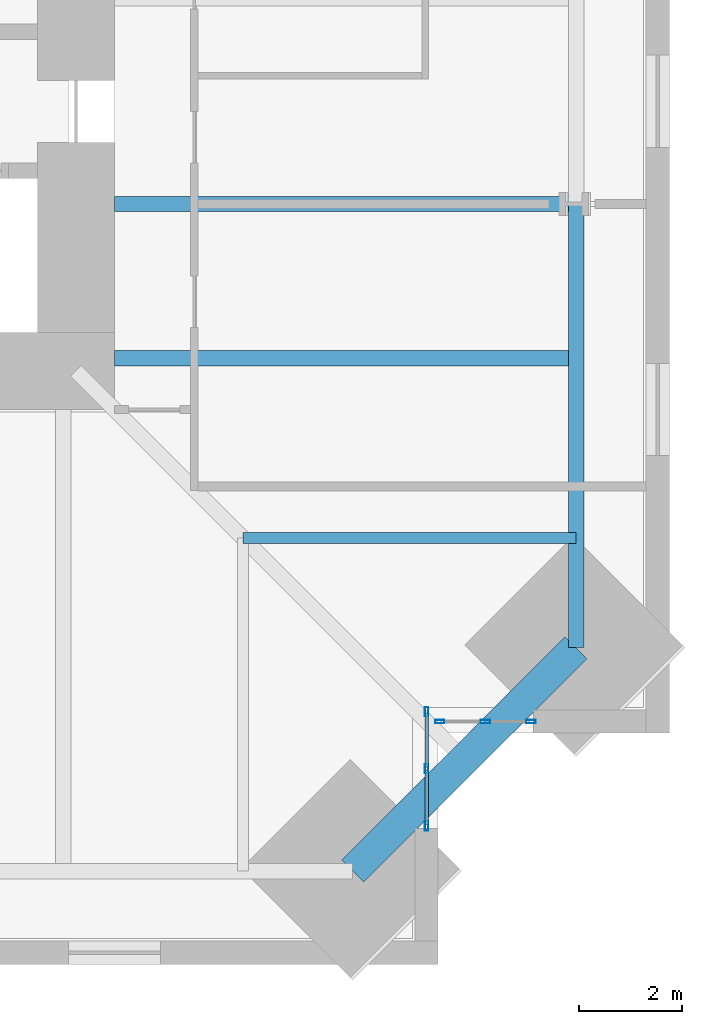
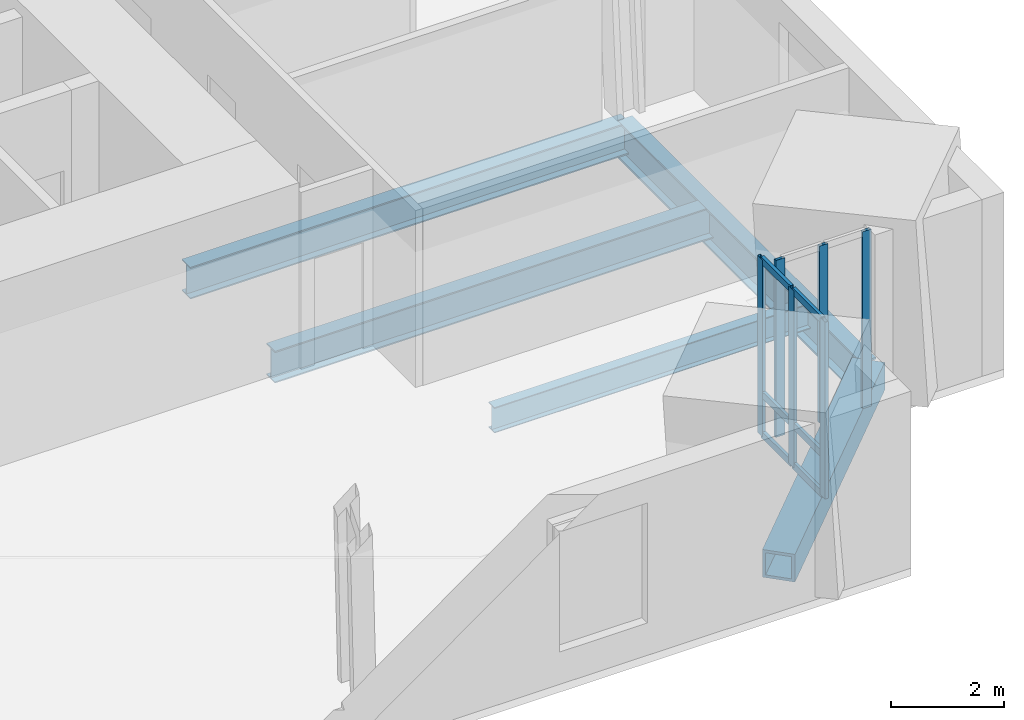
# One storey, part 4 of 15: 12 members, 5 beams, 2 elements without a shape of their own.
"""IFC4 building model written with IfcOpenShell, lengths in metres."""

import ifcopenshell
import ifcopenshell.guid

model = None  # the IFC model being written
_history = None  # IfcOwnerHistory: only IFC2X3 demands one
_inside = {}  # id of a spatial element -> (the spatial element, [elements in it])
_under = {}  # id of a project, library or spatial element -> (it, [spatial elements below it])
_declared = {}  # id of a project -> (the project, [libraries it declares])
_typed = {}  # id of a type object -> (the type object, [elements of that type])
_made_of = {}  # id of a material, layer set ... -> (it, [elements and type objects made of it])


def new_model(schema):
    """Start an empty IFC model of exactly this schema.

    Asked for "IFC4X3", IfcOpenShell would pick the latest addendum, in which some entities
    have other attributes; the version numbers below select the first issue.
    IFC2X3 requires an IfcOwnerHistory on every rooted entity: one is made here for all.
    """
    global model, _history
    if schema == "IFC4X3":
        model = ifcopenshell.file(schema_version=(4, 3, 0, 0))
    else:
        model = ifcopenshell.file(schema=schema)
    _inside.clear()
    _under.clear()
    _declared.clear()
    _typed.clear()
    _made_of.clear()
    _history = None
    if model.schema == "IFC2X3":
        org = make("IfcOrganization", Name="unknown")
        user = make(
            "IfcPersonAndOrganization",
            ThePerson=make("IfcPerson", FamilyName="unknown"),
            TheOrganization=org,
        )
        app = make(
            "IfcApplication",
            ApplicationDeveloper=org,
            Version="unknown",
            ApplicationFullName="unknown",
            ApplicationIdentifier="unknown",
        )
        _history = make(
            "IfcOwnerHistory",
            OwningUser=user,
            OwningApplication=app,
            ChangeAction="ADDED",
            CreationDate=0,
        )
    return model


def make(cls, **values):
    """One entity of the class cls with the attributes given. An attribute that is None is left unset."""
    return model.create_entity(
        cls, **{name: value for name, value in values.items() if value is not None}
    )


def rooted(cls, **values):
    """An entity with a GlobalId (a new one), such as an element, a storey or a relation."""
    return make(cls, GlobalId=ifcopenshell.guid.new(), OwnerHistory=_history, **values)


def si_unit(unit_type, name, prefix=None):
    """IfcSIUnit, for example si_unit("LENGTHUNIT", "METRE", prefix="MILLI")."""
    return make("IfcSIUnit", UnitType=unit_type, Prefix=prefix, Name=name)


def assignment(units):
    """IfcUnitAssignment: the units of a project."""
    return None if units is None else make("IfcUnitAssignment", Units=units)


def point(xyz):
    """IfcCartesianPoint."""
    return None if xyz is None else make("IfcCartesianPoint", Coordinates=xyz)


def direction(xyz):
    """IfcDirection."""
    return None if xyz is None else make("IfcDirection", DirectionRatios=xyz)


def frame(location, z_axis=None, x_axis=None):
    """IfcAxis2Placement3D, a coordinate frame: its origin and axes. An axis left out is left unset."""
    return make(
        "IfcAxis2Placement3D",
        Location=point(location),
        Axis=direction(z_axis),
        RefDirection=direction(x_axis),
    )


def frame_2d(location, x_axis=None):
    """IfcAxis2Placement2D, a coordinate frame in the plane: its origin and x axis."""
    return make(
        "IfcAxis2Placement2D", Location=point(location), RefDirection=direction(x_axis)
    )


def origin():
    """The frame at (0, 0, 0) with its axes left unset."""
    return frame((0.0, 0.0, 0.0))


def origin_2d():
    """The frame at (0, 0) in the plane with its x axis left unset."""
    return frame_2d((0.0, 0.0))


def place(relative_to, where):
    """IfcLocalPlacement: puts the frame where relative to a parent placement (None: the world)."""
    return make(
        "IfcLocalPlacement", PlacementRelTo=relative_to, RelativePlacement=where
    )


def context(
    kind, dimensions, precision=None, world=None, true_north=None, identifier=None
):
    """IfcGeometricRepresentationContext, for example the 3D "Model" context."""
    return make(
        "IfcGeometricRepresentationContext",
        ContextIdentifier=identifier,
        ContextType=kind,
        CoordinateSpaceDimension=dimensions,
        Precision=precision,
        WorldCoordinateSystem=world,
        TrueNorth=true_north,
    )


def subcontext(parent, identifier, kind, view, scale=None):
    """IfcGeometricRepresentationSubContext, for example "Body" below "Model"."""
    return make(
        "IfcGeometricRepresentationSubContext",
        ContextIdentifier=identifier,
        ContextType=kind,
        ParentContext=parent,
        TargetScale=scale,
        TargetView=view,
    )


def project(units=None, contexts=None):
    """IfcProject with its units and contexts."""
    return rooted(
        "IfcProject",
        Name="project",
        RepresentationContexts=contexts,
        UnitsInContext=assignment(units),
    )


def spatial(cls, under=None, at=None, **own):
    """A site, building, storey or space (cls), placed at a placement, below another one or the project."""
    s = rooted(cls, ObjectPlacement=at, **own)
    if under is not None:
        _under.setdefault(under.id(), (under, []))[1].append(s)
    return s


def profile(cls, at=None, kind="AREA", **sizes):
    """A parametric profile (cls). Its sizes go by their IFC names, for example OverallWidth=200.0."""
    return make(cls, ProfileType=kind, Position=at, **sizes)


def hollow_rectangle(**sizes):
    """IfcRectangleHollowProfileDef."""
    return profile("IfcRectangleHollowProfileDef", **sizes)


def i_section(**sizes):
    """IfcIShapeProfileDef."""
    return profile("IfcIShapeProfileDef", **sizes)


def extrude(swept, where, along, depth):
    """IfcExtrudedAreaSolid: the profile swept, set in the frame where, extruded along a direction by depth."""
    return make(
        "IfcExtrudedAreaSolid",
        SweptArea=swept,
        Position=where,
        ExtrudedDirection=direction(along),
        Depth=depth,
    )


def shape(context_of_items, identifier, shape_type, items):
    """IfcShapeRepresentation: the items that make up one representation, for example the "Body"."""
    return make(
        "IfcShapeRepresentation",
        ContextOfItems=context_of_items,
        RepresentationIdentifier=identifier,
        RepresentationType=shape_type,
        Items=items,
    )


def material(Name=None, Category=None):
    """IfcMaterial."""
    return make("IfcMaterial", Name=Name, Category=Category)


def material_profile(
    of_material, cross_section, Name=None, Category=None, Priority=None
):
    """IfcMaterialProfile: a cross section and its material."""
    return make(
        "IfcMaterialProfile",
        Name=Name,
        Material=of_material,
        Profile=cross_section,
        Priority=Priority,
        Category=Category,
    )


def profile_set(profiles, Name=None, composite=None):
    """IfcMaterialProfileSet."""
    return make(
        "IfcMaterialProfileSet",
        Name=Name,
        MaterialProfiles=profiles,
        CompositeProfile=composite,
    )


def made_of(thing, what):
    """Note that an element or type object is made of a material, layer set ...; save() writes the relation."""
    if what is not None:
        _made_of.setdefault(what.id(), (what, []))[1].append(thing)
    return thing


def type_object(cls, material=None, **own):
    """A type object (cls), such as IfcWallType, which elements share."""
    return made_of(rooted(cls, **own), material)


def element(
    cls,
    number,
    at=None,
    inside=None,
    cuts=None,
    type_object=None,
    material=None,
    context=None,
    identifier="Body",
    shape_type=None,
    held_by="IfcProductDefinitionShape",
    body=None,
    shapes=None,
    **own,
):
    """One element of the class cls, such as IfcWall. Its Tag is "e" and its number.

    at: its placement. inside: the storey or other place that contains it. cuts: it is an
    opening in that element (IfcRelVoidsElement). A single representation is given by context,
    identifier, shape_type and body (its items); several are given by shapes. held_by: the class
    of the entity that holds the representations. save() writes the other relations.
    """
    e = rooted(cls, Tag="e%d" % number, ObjectPlacement=at, **own)
    if body is not None:
        shapes = [shape(context, identifier, shape_type, body)]
    if shapes is not None:
        e.Representation = make(held_by, Representations=shapes)
    if inside is not None:
        _inside.setdefault(inside.id(), (inside, []))[1].append(e)
    if cuts is not None:
        rooted(
            "IfcRelVoidsElement", RelatingBuildingElement=cuts, RelatedOpeningElement=e
        )
    if type_object is not None:
        _typed.setdefault(type_object.id(), (type_object, []))[1].append(e)
    return made_of(e, material)


def aggregate(whole, parts):
    """IfcRelAggregates: a whole, such as a stair, and the parts it consists of."""
    return rooted("IfcRelAggregates", RelatingObject=whole, RelatedObjects=parts)


def save(model, path):
    """Write the relations noted so far, then the file.

    IfcRelAggregates (storeys below a building ...), IfcRelContainedInSpatialStructure (elements
    in a storey), IfcRelDefinesByType, IfcRelAssociatesMaterial and IfcRelDeclares: one each for
    every whole, place, type object, material and project.
    """
    for whole, parts in _under.values():
        aggregate(whole, parts)
    for where, things in _inside.values():
        rooted(
            "IfcRelContainedInSpatialStructure",
            RelatedElements=things,
            RelatingStructure=where,
        )
    for kind, things in _typed.values():
        rooted("IfcRelDefinesByType", RelatedObjects=things, RelatingType=kind)
    for what, things in _made_of.values():
        rooted("IfcRelAssociatesMaterial", RelatedObjects=things, RelatingMaterial=what)
    for by, libraries in _declared.values():
        rooted("IfcRelDeclares", RelatingContext=by, RelatedDefinitions=libraries)
    model.write(path)


model = new_model("IFC4")

# Units and contexts
model_context = context("Model", 3, precision=1e-05, world=origin(), true_north=direction((0.0, 1.0)))
body_context = subcontext(model_context, "Body", "Model", "MODEL_VIEW")
ifc_project = project(units=[si_unit("LENGTHUNIT", "METRE"), si_unit("AREAUNIT", "SQUARE_METRE"), si_unit("VOLUMEUNIT", "CUBIC_METRE"), si_unit("PLANEANGLEUNIT", "RADIAN"), si_unit("MASSUNIT", "GRAM", prefix="KILO")], contexts=[model_context])

# Site, building, storey
site_placement = place(None, origin())
site = spatial("IfcSite", under=ifc_project, at=site_placement, CompositionType="ELEMENT")
building_placement = place(site_placement, origin())
building = spatial("IfcBuilding", under=site, at=building_placement, Name="Peilmerk Tower", CompositionType="ELEMENT")
storey_placement = place(building_placement, frame((0.0, 0.0, 245.800048828125)))
storey = spatial("IfcBuildingStorey", under=building, at=storey_placement, Name="L54", CompositionType="ELEMENT", Elevation=245.800048828125)

# Beams
ifc_material_1 = material(Name="Steel S355", Category="steel")
ifc_material_profile_1 = material_profile(ifc_material_1, i_section(OverallWidth=0.2099609375, OverallDepth=0.550048828125, WebThickness=0.010986328125, FlangeThickness=0.01708984375, at=origin_2d()), Name="IPE 550")
ifc_profile_set_1 = profile_set([ifc_material_profile_1], Name="Steel S355")
beam_type_1 = type_object("IfcBeamType", Name="B12 IPE 550 floor beam", PredefinedType="BEAM", material=ifc_profile_set_1)
beam_1_placement = place(storey_placement, frame((14.5, -14.5, -0.445068359375), z_axis=(1.0, 0.0, 0.0), x_axis=(0.0, 1.0, 0.0)))
element("IfcBeam", 1, at=beam_1_placement, inside=storey, type_object=beam_type_1, Name="Floor beam L54", PredefinedType="BEAM", context=body_context, shape_type="SweptSolid", body=[
    extrude(i_section(OverallWidth=0.2099609375, OverallDepth=0.550048828125, WebThickness=0.010986328125, FlangeThickness=0.01708984375, at=origin_2d()), origin(), (0.0, 0.0, 1.0), 6.485595703125),
])
ifc_material_profile_2 = material_profile(ifc_material_1, i_section(OverallWidth=0.302978515625, OverallDepth=0.81396484375, WebThickness=0.02099609375, FlangeThickness=0.0400390625, at=origin_2d()), Name="HEM 800")
ifc_profile_set_2 = profile_set([ifc_material_profile_2], Name="Steel S355")
beam_type_2 = type_object("IfcBeamType", Name="B15 HEM 800 edge beam", PredefinedType="SPANDREL", material=ifc_profile_set_2)
beam_2_placement = place(storey_placement, frame((20.985595703125, -16.635498046875, -0.5771484375), z_axis=(0.0, 1.0, 0.0), x_axis=(-1.0, 0.0, 0.0)))
element("IfcBeam", 2, at=beam_2_placement, inside=storey, type_object=beam_type_2, Name="Edge beam L54", PredefinedType="SPANDREL", context=body_context, shape_type="SweptSolid", body=[
    extrude(i_section(OverallWidth=0.302978515625, OverallDepth=0.81396484375, WebThickness=0.02099609375, FlangeThickness=0.0400390625, at=origin_2d()), origin(), (0.0, 0.0, 1.0), 8.635498046875),
])
ifc_material_profile_3 = material_profile(ifc_material_1, i_section(OverallWidth=0.300048828125, OverallDepth=0.68994140625, WebThickness=0.014404296875, FlangeThickness=0.027099609375, at=origin_2d()), Name="HEA 700")
ifc_profile_set_3 = profile_set([ifc_material_profile_3], Name="Steel S355")
beam_type_3 = type_object("IfcBeamType", Name="B16 HEA 700 floor beam", PredefinedType="BEAM", material=ifc_profile_set_3)
for number, where, z_axis, x_axis, name in (
    (3, (12.0, -11.0, -0.51513671875), (1.0, 0.0, 0.0), (0.0, 1.0, 0.0), "Floor beam L54"),
    (4, (12.0, -8.0, -0.51513671875), (1.0, 0.0, 0.0), (0.0, 1.0, 0.0), "Floor beam L54"),
):
    element("IfcBeam", number, at=place(storey_placement, frame(where, z_axis=z_axis, x_axis=x_axis)), inside=storey, type_object=beam_type_3, Name=name, PredefinedType="BEAM", context=body_context, shape_type="SweptSolid", body=[
        extrude(i_section(OverallWidth=0.300048828125, OverallDepth=0.68994140625, WebThickness=0.014404296875, FlangeThickness=0.027099609375, at=origin_2d()), origin(), (0.0, 0.0, 1.0), 8.985595703125),
    ])
ifc_material_2 = material(Name="Steel S460", Category="steel")
ifc_material_profile_4 = material_profile(ifc_material_2, hollow_rectangle(XDim=0.60009765625, YDim=0.60009765625, WallThickness=0.06005859375, at=origin_2d()), Name="BOX 600x600x60")
ifc_profile_set_4 = profile_set([ifc_material_profile_4], Name="Steel S460")
beam_type_4 = type_object("IfcBeamType", Name="B20 BOX 600x600x60 notch beam", PredefinedType="SPANDREL", material=ifc_profile_set_4)
beam_3_placement = place(storey_placement, frame((20.985595703125, -16.635498046875, -0.469970703125), z_axis=(-0.707106781187, -0.707106781187, 0.0), x_axis=(0.707106781187, -0.707106781187, 0.0)))
element("IfcBeam", 5, at=beam_3_placement, inside=storey, type_object=beam_type_4, Name="Notch beam L54", PredefinedType="SPANDREL", context=body_context, shape_type="SweptSolid", body=[
    extrude(hollow_rectangle(XDim=0.60009765625, YDim=0.60009765625, WallThickness=0.06005859375, at=origin_2d()), origin(), (0.0, 0.0, 1.0), 6.15185546875),
])

# Curtain wall, members
ifc_material_3 = material(Name="Aluminium stick curtain wall", Category="aluminium")
curtain_wall_type = type_object("IfcCurtainWallType", Name="CW4 stick curtain wall, 2250 module", PredefinedType="NOTDEFINED", material=ifc_material_3)
curtain_wall_1_placement = place(storey_placement, origin())
curtain_wall_1 = element("IfcCurtainWall", 6, at=curtain_wall_1_placement, inside=storey, type_object=curtain_wall_type, Name="Curtain wall CW4 SEA L54", PredefinedType="NOTDEFINED")
ifc_material_4 = material(Name="Aluminium EN AW-6063 T6", Category="aluminium")
ifc_material_profile_5 = material_profile(ifc_material_4, hollow_rectangle(XDim=0.06494140625, YDim=0.179931640625, WallThickness=0.0029296875, at=origin_2d()), Name="AL 180x65x3")
ifc_profile_set_5 = profile_set([ifc_material_profile_5], Name="Aluminium EN AW-6063 T6")
member_type_1 = type_object("IfcMemberType", Name="CW4-M AL 180x65x3 mullion", PredefinedType="MULLION", material=ifc_profile_set_5)
member_1_placement = place(storey_placement, frame((18.074951171875, -17.882568359375, 0.0), z_axis=(0.0, 0.0, 1.0), x_axis=(1.0, 0.0, 0.0)))
member_1 = element("IfcMember", 7, at=member_1_placement, type_object=member_type_1, Name="CW4 mullion 1", PredefinedType="MULLION", context=body_context, shape_type="SweptSolid", body=[
    extrude(hollow_rectangle(XDim=0.06494140625, YDim=0.179931640625, WallThickness=0.0029296875, at=origin_2d()), origin(), (0.0, 0.0, 1.0), 3.829833984375),
])
member_2_placement = place(storey_placement, frame((18.074951171875, -18.994384765625, 0.0), z_axis=(0.0, 0.0, 1.0), x_axis=(1.0, 0.0, 0.0)))
member_2 = element("IfcMember", 8, at=member_2_placement, type_object=member_type_1, Name="CW4 mullion 2", PredefinedType="MULLION", context=body_context, shape_type="SweptSolid", body=[
    extrude(hollow_rectangle(XDim=0.06494140625, YDim=0.179931640625, WallThickness=0.0029296875, at=origin_2d()), origin(), (0.0, 0.0, 1.0), 3.829833984375),
])
member_3_placement = place(storey_placement, frame((18.074951171875, -20.106201171875, 0.0), z_axis=(0.0, 0.0, 1.0), x_axis=(1.0, 0.0, 0.0)))
member_3 = element("IfcMember", 9, at=member_3_placement, type_object=member_type_1, Name="CW4 mullion 3", PredefinedType="MULLION", context=body_context, shape_type="SweptSolid", body=[
    extrude(hollow_rectangle(XDim=0.06494140625, YDim=0.179931640625, WallThickness=0.0029296875, at=origin_2d()), origin(), (0.0, 0.0, 1.0), 3.829833984375),
])

curtain_wall_2_placement = place(storey_placement, origin())
curtain_wall_2 = element("IfcCurtainWall", 10, at=curtain_wall_2_placement, inside=storey, type_object=curtain_wall_type, Name="Curtain wall CW4 SEB L54", PredefinedType="NOTDEFINED")
member_4_placement = place(storey_placement, frame((18.33251953125, -18.074951171875, 0.0), z_axis=(0.0, 0.0, 1.0), x_axis=(0.0, 1.0, 0.0)))
member_4 = element("IfcMember", 11, at=member_4_placement, type_object=member_type_1, Name="CW4 mullion 1", PredefinedType="MULLION", context=body_context, shape_type="SweptSolid", body=[
    extrude(hollow_rectangle(XDim=0.06494140625, YDim=0.179931640625, WallThickness=0.0029296875, at=origin_2d()), origin(), (0.0, 0.0, 1.0), 3.829833984375),
])
member_5_placement = place(storey_placement, frame((19.21923828125, -18.074951171875, 0.0), z_axis=(0.0, 0.0, 1.0), x_axis=(0.0, 1.0, 0.0)))
member_5 = element("IfcMember", 12, at=member_5_placement, type_object=member_type_1, Name="CW4 mullion 2", PredefinedType="MULLION", context=body_context, shape_type="SweptSolid", body=[
    extrude(hollow_rectangle(XDim=0.06494140625, YDim=0.179931640625, WallThickness=0.0029296875, at=origin_2d()), origin(), (0.0, 0.0, 1.0), 3.829833984375),
])
member_6_placement = place(storey_placement, frame((20.106201171875, -18.074951171875, 0.0), z_axis=(0.0, 0.0, 1.0), x_axis=(0.0, 1.0, 0.0)))
member_6 = element("IfcMember", 13, at=member_6_placement, type_object=member_type_1, Name="CW4 mullion 3", PredefinedType="MULLION", context=body_context, shape_type="SweptSolid", body=[
    extrude(hollow_rectangle(XDim=0.06494140625, YDim=0.179931640625, WallThickness=0.0029296875, at=origin_2d()), origin(), (0.0, 0.0, 1.0), 3.829833984375),
])
aggregate(curtain_wall_2, [member_4, member_5, member_6])

# Member
ifc_material_profile_6 = material_profile(ifc_material_4, hollow_rectangle(XDim=0.06494140625, YDim=0.14990234375, WallThickness=0.0029296875, at=origin_2d()), Name="AL 150x65x3")
ifc_profile_set_6 = profile_set([ifc_material_profile_6], Name="Aluminium EN AW-6063 T6")
member_type_2 = type_object("IfcMemberType", Name="CW4-T AL 150x65x3 transom", PredefinedType="USERDEFINED", material=ifc_profile_set_6)
member_7_placement = place(storey_placement, frame((18.074951171875, -17.9150390625, 0.032470703125), z_axis=(0.0, -1.0, 0.0), x_axis=(1.0, 0.0, 0.0)))
member_7 = element("IfcMember", 14, at=member_7_placement, type_object=member_type_2, Name="CW4 transom 1.1", ObjectType="TRANSOM", PredefinedType="USERDEFINED", context=body_context, shape_type="SweptSolid", body=[
    extrude(hollow_rectangle(XDim=0.06494140625, YDim=0.14990234375, WallThickness=0.0029296875, at=origin_2d()), origin(), (0.0, 0.0, 1.0), 1.046875),
])

member_8_placement = place(storey_placement, frame((18.074951171875, -17.9150390625, 0.89990234375), z_axis=(0.0, -1.0, 0.0), x_axis=(1.0, 0.0, 0.0)))
member_8 = element("IfcMember", 15, at=member_8_placement, type_object=member_type_2, Name="CW4 transom 1.2", ObjectType="TRANSOM", PredefinedType="USERDEFINED", context=body_context, shape_type="SweptSolid", body=[
    extrude(hollow_rectangle(XDim=0.06494140625, YDim=0.14990234375, WallThickness=0.0029296875, at=origin_2d()), origin(), (0.0, 0.0, 1.0), 1.046875),
])

member_9_placement = place(storey_placement, frame((18.074951171875, -17.9150390625, 3.79736328125), z_axis=(0.0, -1.0, 0.0), x_axis=(1.0, 0.0, 0.0)))
member_9 = element("IfcMember", 16, at=member_9_placement, type_object=member_type_2, Name="CW4 transom 1.3", ObjectType="TRANSOM", PredefinedType="USERDEFINED", context=body_context, shape_type="SweptSolid", body=[
    extrude(hollow_rectangle(XDim=0.06494140625, YDim=0.14990234375, WallThickness=0.0029296875, at=origin_2d()), origin(), (0.0, 0.0, 1.0), 1.046875),
])

member_10_placement = place(storey_placement, frame((18.074951171875, -19.02685546875, 0.032470703125), z_axis=(0.0, -1.0, 0.0), x_axis=(1.0, 0.0, 0.0)))
member_10 = element("IfcMember", 17, at=member_10_placement, type_object=member_type_2, Name="CW4 transom 2.1", ObjectType="TRANSOM", PredefinedType="USERDEFINED", context=body_context, shape_type="SweptSolid", body=[
    extrude(hollow_rectangle(XDim=0.06494140625, YDim=0.14990234375, WallThickness=0.0029296875, at=origin_2d()), origin(), (0.0, 0.0, 1.0), 1.046875),
])

member_11_placement = place(storey_placement, frame((18.074951171875, -19.02685546875, 0.89990234375), z_axis=(0.0, -1.0, 0.0), x_axis=(1.0, 0.0, 0.0)))
member_11 = element("IfcMember", 18, at=member_11_placement, type_object=member_type_2, Name="CW4 transom 2.2", ObjectType="TRANSOM", PredefinedType="USERDEFINED", context=body_context, shape_type="SweptSolid", body=[
    extrude(hollow_rectangle(XDim=0.06494140625, YDim=0.14990234375, WallThickness=0.0029296875, at=origin_2d()), origin(), (0.0, 0.0, 1.0), 1.046875),
])

member_12_placement = place(storey_placement, frame((18.074951171875, -19.02685546875, 3.79736328125), z_axis=(0.0, -1.0, 0.0), x_axis=(1.0, 0.0, 0.0)))
member_12 = element("IfcMember", 19, at=member_12_placement, type_object=member_type_2, Name="CW4 transom 2.3", ObjectType="TRANSOM", PredefinedType="USERDEFINED", context=body_context, shape_type="SweptSolid", body=[
    extrude(hollow_rectangle(XDim=0.06494140625, YDim=0.14990234375, WallThickness=0.0029296875, at=origin_2d()), origin(), (0.0, 0.0, 1.0), 1.046875),
])

aggregate(curtain_wall_1, [member_1, member_2, member_3, member_7, member_8, member_9, member_10, member_11, member_12])

save(model, "model.ifc")
